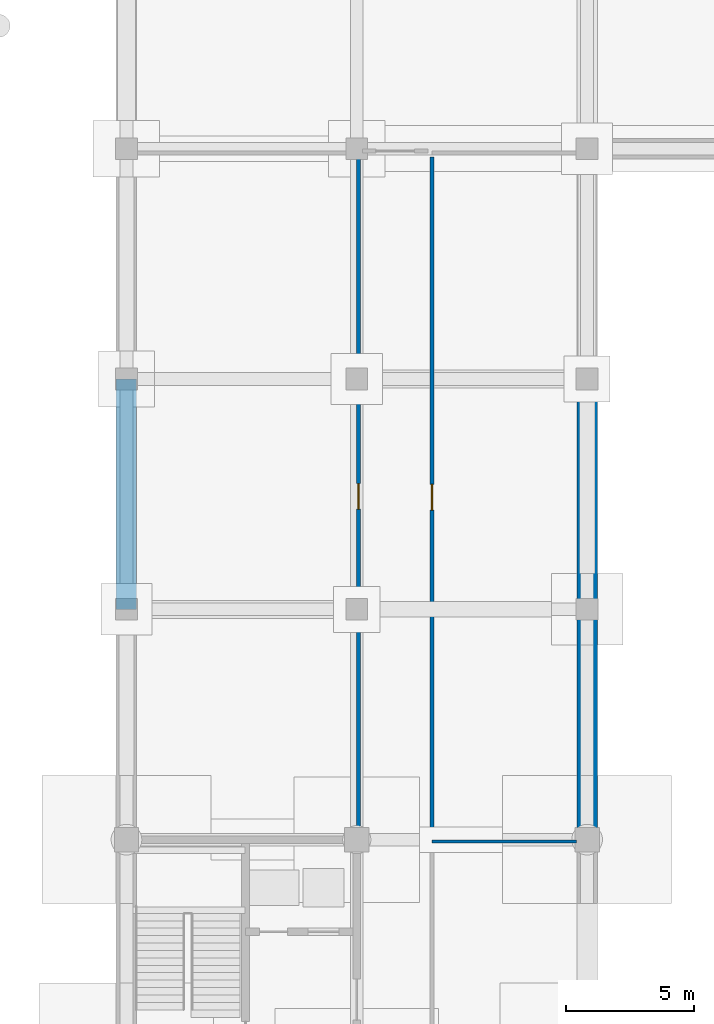
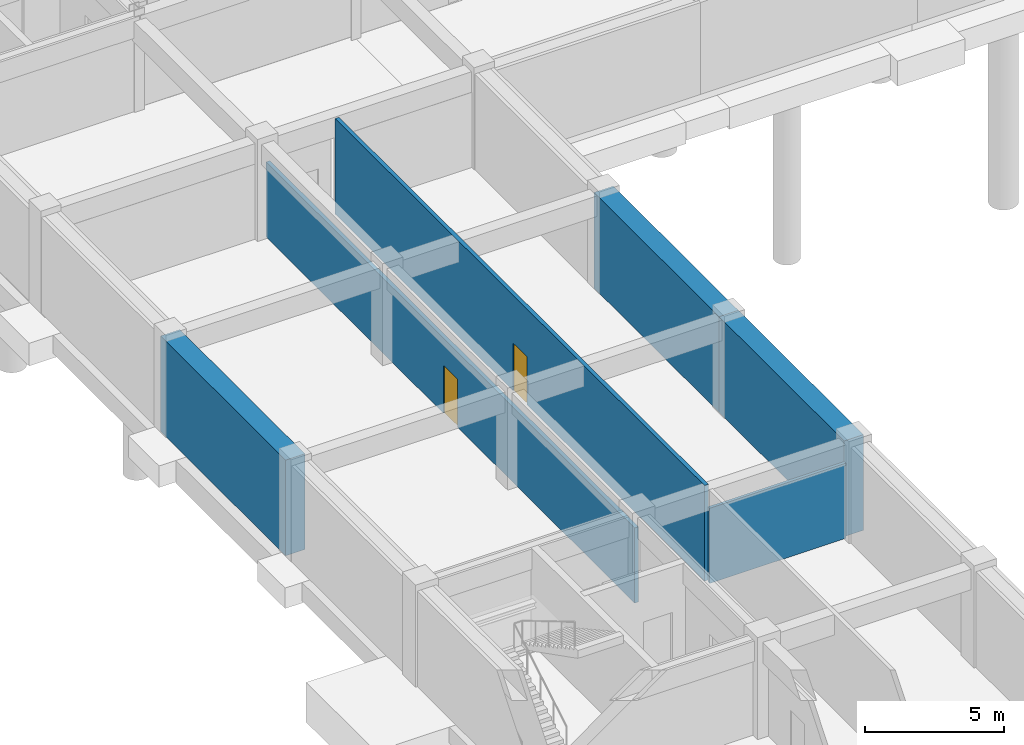
# One storey, part 25 of 41: 6 walls, 2 doors, 2 openings.
"""IFC4 building model written with IfcOpenShell, lengths in metres."""

import ifcopenshell
import ifcopenshell.guid

model = None  # the IFC model being written
_history = None  # IfcOwnerHistory: only IFC2X3 demands one
_inside = {}  # id of a spatial element -> (the spatial element, [elements in it])
_under = {}  # id of a project, library or spatial element -> (it, [spatial elements below it])
_declared = {}  # id of a project -> (the project, [libraries it declares])
_typed = {}  # id of a type object -> (the type object, [elements of that type])
_made_of = {}  # id of a material, layer set ... -> (it, [elements and type objects made of it])


def new_model(schema):
    """Start an empty IFC model of exactly this schema.

    Asked for "IFC4X3", IfcOpenShell would pick the latest addendum, in which some entities
    have other attributes; the version numbers below select the first issue.
    IFC2X3 requires an IfcOwnerHistory on every rooted entity: one is made here for all.
    """
    global model, _history
    if schema == "IFC4X3":
        model = ifcopenshell.file(schema_version=(4, 3, 0, 0))
    else:
        model = ifcopenshell.file(schema=schema)
    _inside.clear()
    _under.clear()
    _declared.clear()
    _typed.clear()
    _made_of.clear()
    _history = None
    if model.schema == "IFC2X3":
        org = make("IfcOrganization", Name="unknown")
        user = make(
            "IfcPersonAndOrganization",
            ThePerson=make("IfcPerson", FamilyName="unknown"),
            TheOrganization=org,
        )
        app = make(
            "IfcApplication",
            ApplicationDeveloper=org,
            Version="unknown",
            ApplicationFullName="unknown",
            ApplicationIdentifier="unknown",
        )
        _history = make(
            "IfcOwnerHistory",
            OwningUser=user,
            OwningApplication=app,
            ChangeAction="ADDED",
            CreationDate=0,
        )
    return model


def make(cls, **values):
    """One entity of the class cls with the attributes given. An attribute that is None is left unset."""
    return model.create_entity(
        cls, **{name: value for name, value in values.items() if value is not None}
    )


def rooted(cls, **values):
    """An entity with a GlobalId (a new one), such as an element, a storey or a relation."""
    return make(cls, GlobalId=ifcopenshell.guid.new(), OwnerHistory=_history, **values)


def si_unit(unit_type, name, prefix=None):
    """IfcSIUnit, for example si_unit("LENGTHUNIT", "METRE", prefix="MILLI")."""
    return make("IfcSIUnit", UnitType=unit_type, Prefix=prefix, Name=name)


def assignment(units):
    """IfcUnitAssignment: the units of a project."""
    return None if units is None else make("IfcUnitAssignment", Units=units)


def point(xyz):
    """IfcCartesianPoint."""
    return None if xyz is None else make("IfcCartesianPoint", Coordinates=xyz)


def direction(xyz):
    """IfcDirection."""
    return None if xyz is None else make("IfcDirection", DirectionRatios=xyz)


def frame(location, z_axis=None, x_axis=None):
    """IfcAxis2Placement3D, a coordinate frame: its origin and axes. An axis left out is left unset."""
    return make(
        "IfcAxis2Placement3D",
        Location=point(location),
        Axis=direction(z_axis),
        RefDirection=direction(x_axis),
    )


def frame_2d(location, x_axis=None):
    """IfcAxis2Placement2D, a coordinate frame in the plane: its origin and x axis."""
    return make(
        "IfcAxis2Placement2D", Location=point(location), RefDirection=direction(x_axis)
    )


def origin():
    """The frame at (0, 0, 0) with its axes left unset."""
    return frame((0.0, 0.0, 0.0))


def place(relative_to, where):
    """IfcLocalPlacement: puts the frame where relative to a parent placement (None: the world)."""
    return make(
        "IfcLocalPlacement", PlacementRelTo=relative_to, RelativePlacement=where
    )


def context(
    kind, dimensions, precision=None, world=None, true_north=None, identifier=None
):
    """IfcGeometricRepresentationContext, for example the 3D "Model" context."""
    return make(
        "IfcGeometricRepresentationContext",
        ContextIdentifier=identifier,
        ContextType=kind,
        CoordinateSpaceDimension=dimensions,
        Precision=precision,
        WorldCoordinateSystem=world,
        TrueNorth=true_north,
    )


def subcontext(parent, identifier, kind, view, scale=None):
    """IfcGeometricRepresentationSubContext, for example "Body" below "Model"."""
    return make(
        "IfcGeometricRepresentationSubContext",
        ContextIdentifier=identifier,
        ContextType=kind,
        ParentContext=parent,
        TargetScale=scale,
        TargetView=view,
    )


def project(units=None, contexts=None):
    """IfcProject with its units and contexts."""
    return rooted(
        "IfcProject",
        Name="project",
        RepresentationContexts=contexts,
        UnitsInContext=assignment(units),
    )


def spatial(cls, under=None, at=None, **own):
    """A site, building, storey or space (cls), placed at a placement, below another one or the project."""
    s = rooted(cls, ObjectPlacement=at, **own)
    if under is not None:
        _under.setdefault(under.id(), (under, []))[1].append(s)
    return s


def profile(cls, at=None, kind="AREA", **sizes):
    """A parametric profile (cls). Its sizes go by their IFC names, for example OverallWidth=200.0."""
    return make(cls, ProfileType=kind, Position=at, **sizes)


def rectangle(**sizes):
    """IfcRectangleProfileDef."""
    return profile("IfcRectangleProfileDef", **sizes)


def extrude(swept, where, along, depth):
    """IfcExtrudedAreaSolid: the profile swept, set in the frame where, extruded along a direction by depth."""
    return make(
        "IfcExtrudedAreaSolid",
        SweptArea=swept,
        Position=where,
        ExtrudedDirection=direction(along),
        Depth=depth,
    )


def shape(context_of_items, identifier, shape_type, items):
    """IfcShapeRepresentation: the items that make up one representation, for example the "Body"."""
    return make(
        "IfcShapeRepresentation",
        ContextOfItems=context_of_items,
        RepresentationIdentifier=identifier,
        RepresentationType=shape_type,
        Items=items,
    )


def material(Name=None, Category=None):
    """IfcMaterial."""
    return make("IfcMaterial", Name=Name, Category=Category)


def layer(
    of_material, thickness, ventilated=None, Name=None, Category=None, Priority=None
):
    """IfcMaterialLayer: one layer of a wall or slab, of a material (None: an air gap)."""
    return make(
        "IfcMaterialLayer",
        Material=of_material,
        LayerThickness=thickness,
        IsVentilated=ventilated,
        Name=Name,
        Category=Category,
        Priority=Priority,
    )


def layer_set(layers, Name=None):
    """IfcMaterialLayerSet."""
    return make("IfcMaterialLayerSet", MaterialLayers=layers, LayerSetName=Name)


def made_of(thing, what):
    """Note that an element or type object is made of a material, layer set ...; save() writes the relation."""
    if what is not None:
        _made_of.setdefault(what.id(), (what, []))[1].append(thing)
    return thing


def type_object(cls, material=None, **own):
    """A type object (cls), such as IfcWallType, which elements share."""
    return made_of(rooted(cls, **own), material)


def element(
    cls,
    number,
    at=None,
    inside=None,
    cuts=None,
    type_object=None,
    material=None,
    context=None,
    identifier="Body",
    shape_type=None,
    held_by="IfcProductDefinitionShape",
    body=None,
    shapes=None,
    **own,
):
    """One element of the class cls, such as IfcWall. Its Tag is "e" and its number.

    at: its placement. inside: the storey or other place that contains it. cuts: it is an
    opening in that element (IfcRelVoidsElement). A single representation is given by context,
    identifier, shape_type and body (its items); several are given by shapes. held_by: the class
    of the entity that holds the representations. save() writes the other relations.
    """
    e = rooted(cls, Tag="e%d" % number, ObjectPlacement=at, **own)
    if body is not None:
        shapes = [shape(context, identifier, shape_type, body)]
    if shapes is not None:
        e.Representation = make(held_by, Representations=shapes)
    if inside is not None:
        _inside.setdefault(inside.id(), (inside, []))[1].append(e)
    if cuts is not None:
        rooted(
            "IfcRelVoidsElement", RelatingBuildingElement=cuts, RelatedOpeningElement=e
        )
    if type_object is not None:
        _typed.setdefault(type_object.id(), (type_object, []))[1].append(e)
    return made_of(e, material)


def fill(opening, filler):
    """IfcRelFillsElement: the door or window that sits in an opening."""
    return rooted(
        "IfcRelFillsElement",
        RelatingOpeningElement=opening,
        RelatedBuildingElement=filler,
    )


def aggregate(whole, parts):
    """IfcRelAggregates: a whole, such as a stair, and the parts it consists of."""
    return rooted("IfcRelAggregates", RelatingObject=whole, RelatedObjects=parts)


def save(model, path):
    """Write the relations noted so far, then the file.

    IfcRelAggregates (storeys below a building ...), IfcRelContainedInSpatialStructure (elements
    in a storey), IfcRelDefinesByType, IfcRelAssociatesMaterial and IfcRelDeclares: one each for
    every whole, place, type object, material and project.
    """
    for whole, parts in _under.values():
        aggregate(whole, parts)
    for where, things in _inside.values():
        rooted(
            "IfcRelContainedInSpatialStructure",
            RelatedElements=things,
            RelatingStructure=where,
        )
    for kind, things in _typed.values():
        rooted("IfcRelDefinesByType", RelatedObjects=things, RelatingType=kind)
    for what, things in _made_of.values():
        rooted("IfcRelAssociatesMaterial", RelatedObjects=things, RelatingMaterial=what)
    for by, libraries in _declared.values():
        rooted("IfcRelDeclares", RelatingContext=by, RelatedDefinitions=libraries)
    model.write(path)


model = new_model("IFC4")

# Units and contexts
model_context = context("Model", 3, precision=1e-05, world=origin(), true_north=direction((0.0, 1.0)))
body_context = subcontext(model_context, "Body", "Model", "MODEL_VIEW")
ifc_project = project(units=[si_unit("LENGTHUNIT", "METRE"), si_unit("AREAUNIT", "SQUARE_METRE"), si_unit("VOLUMEUNIT", "CUBIC_METRE"), si_unit("PLANEANGLEUNIT", "RADIAN"), si_unit("MASSUNIT", "GRAM", prefix="KILO")], contexts=[model_context])

# Site, building, storey
site_placement = place(None, origin())
site = spatial("IfcSite", under=ifc_project, at=site_placement, CompositionType="ELEMENT")
building_placement = place(site_placement, origin())
building = spatial("IfcBuilding", under=site, at=building_placement, Name="Palais des Congres Ocreval", CompositionType="ELEMENT")
storey_placement = place(building_placement, frame((0.0, 0.0, -8.9599609375)))
storey = spatial("IfcBuildingStorey", under=building, at=storey_placement, Name="B2", CompositionType="ELEMENT", Elevation=-8.9599609375)

# Wall, opening, door
ifc_material_1 = material(Name="Gypsum acoustic partition")
ifc_layer_1 = layer(ifc_material_1, 0.159912109375)
ifc_layer_set_1 = layer_set([ifc_layer_1], Name="Corridor Fire Partition 160 Gypsum (Gypsum acoustic partition)")
wall_type_1 = type_object("IfcWallType", Name="Corridor Fire Partition 160 Gypsum", PredefinedType="PARTITIONING", material=ifc_layer_set_1)
wall_1_placement = place(storey_placement, frame((9.06494140625, 45.155029296875, 0.0), z_axis=(0.0, 0.0, 1.0), x_axis=(0.0, 1.0, 0.0)))
wall_1 = element("IfcWall", 1, at=wall_1_placement, inside=storey, type_object=wall_type_1, Name="Interior Partition IW03 B2", PredefinedType="PARTITIONING", context=body_context, shape_type="SweptSolid", body=[
    extrude(rectangle(XDim=26.514892578125, YDim=0.159912109375, at=frame_2d((13.25732421875, 0.0))), origin(), (0.0, 0.0, 1.0), 3.300048828125),
])
opening_1_placement = place(wall_1_placement, frame((12.757568359375, 0.0, 0.0)))
opening_1 = element("IfcOpeningElement", 2, at=opening_1_placement, cuts=wall_1, Name="Opening D10", PredefinedType="OPENING", context=body_context, shape_type="SweptSolid", body=[
    extrude(rectangle(XDim=1.0, YDim=2.10009765625, at=frame_2d((0.5, 1.050048828125))), frame((0.0, 0.08984375, 0.0), z_axis=(0.0, -1.0, 0.0), x_axis=(1.0, 0.0, 0.0)), (0.0, 0.0, 1.0), 0.179931640625),
])
ifc_material_2 = material(Name="Painted steel", Category="steel")
door_type = type_object("IfcDoorType", Name="Service and Pantry Door 1000x2100", OperationType="NOTDEFINED", PredefinedType="DOOR", material=ifc_material_2)
door_1_placement = place(opening_1_placement, origin())
door_1 = element("IfcDoor", 3, at=door_1_placement, inside=storey, type_object=door_type, Name="Interior Door D10 B2", OperationType="SINGLE_SWING_LEFT", OverallHeight=2.10009765625, OverallWidth=1.0, PredefinedType="DOOR", context=body_context, shape_type="SweptSolid", body=[
    extrude(rectangle(XDim=1.0, YDim=2.10009765625, at=frame_2d((0.5, 1.050048828125))), frame((0.0, 0.02490234375, 0.0), z_axis=(0.0, -1.0, 0.0), x_axis=(1.0, 0.0, 0.0)), (0.0, 0.0, 1.0), 0.050048828125),
])
fill(opening_1, door_1)

wall_2_placement = place(storey_placement, frame((11.93505859375, 45.090087890625, 0.0), z_axis=(0.0, 0.0, 1.0), x_axis=(0.0, 1.0, 0.0)))
wall_2 = element("IfcWall", 4, at=wall_2_placement, inside=storey, type_object=wall_type_1, Name="Interior Partition IW03 B2", PredefinedType="PARTITIONING", context=body_context, shape_type="SweptSolid", body=[
    extrude(rectangle(XDim=26.579833984375, YDim=0.159912109375, at=frame_2d((13.2900390625, 0.0))), origin(), (0.0, 0.0, 1.0), 4.199951171875),
])
opening_2_placement = place(wall_2_placement, frame((12.7900390625, 0.0, 0.0)))
opening_2 = element("IfcOpeningElement", 5, at=opening_2_placement, cuts=wall_2, Name="Opening D10", PredefinedType="OPENING", context=body_context, shape_type="SweptSolid", body=[
    extrude(rectangle(XDim=1.0, YDim=2.10009765625, at=frame_2d((0.5, 1.050048828125))), frame((0.0, 0.08984375, 0.0), z_axis=(0.0, -1.0, 0.0), x_axis=(1.0, 0.0, 0.0)), (0.0, 0.0, 1.0), 0.179931640625),
])
door_2_placement = place(opening_2_placement, origin())
door_2 = element("IfcDoor", 6, at=door_2_placement, inside=storey, type_object=door_type, Name="Interior Door D10 B2", OperationType="SINGLE_SWING_RIGHT", OverallHeight=2.10009765625, OverallWidth=1.0, PredefinedType="DOOR", context=body_context, shape_type="SweptSolid", body=[
    extrude(rectangle(XDim=1.0, YDim=2.10009765625, at=frame_2d((0.5, 1.050048828125))), frame((0.0, 0.02490234375, 0.0), z_axis=(0.0, -1.0, 0.0), x_axis=(1.0, 0.0, 0.0)), (0.0, 0.0, 1.0), 0.050048828125),
])
fill(opening_2, door_2)

# Walls
ifc_material_3 = material(Name="Concrete C35/45", Category="concrete")
ifc_layer_2 = layer(ifc_material_3, 0.800048828125)
ifc_layer_set_2 = layer_set([ifc_layer_2], Name="Retaining Diaphragm Wall 800 Concrete C35/45")
wall_type_2 = type_object("IfcWallType", Name="Retaining Diaphragm Wall 800 Concrete C35/45", PredefinedType="USERDEFINED", material=ifc_layer_set_2)
for number, where, z_axis, x_axis, name in (
    (7, (0.0, 54.0, 0.0), (0.0, 0.0, 1.0), (0.0, 1.0, 0.0), "Basement Diaphragm Wall RW01 B2"),
    (8, (18.0, 63.0, 0.0), (0.0, 0.0, 1.0), (0.0, -1.0, 0.0), "Basement Diaphragm Wall RW01 B2"),
    (9, (18.0, 54.0, 0.0), (0.0, 0.0, 1.0), (0.0, -1.0, 0.0), "Basement Diaphragm Wall RW01 B2"),
):
    element("IfcWall", number, at=place(storey_placement, frame(where, z_axis=z_axis, x_axis=x_axis)), inside=storey, type_object=wall_type_2, Name=name, ObjectType="RETAININGWALL", PredefinedType="USERDEFINED", context=body_context, shape_type="SweptSolid", body=[
        extrude(rectangle(XDim=9.0, YDim=0.800048828125, at=frame_2d((4.5, 0.0))), origin(), (0.0, 0.0, 1.0), 4.199951171875),
    ])
ifc_material_4 = material(Name="Gypsum board partition")
ifc_layer_3 = layer(ifc_material_4, 0.1201171875)
ifc_layer_set_3 = layer_set([ifc_layer_3], Name="Suite Subdivision Partition 120 Gypsum (Gypsum board partition)")
wall_type_3 = type_object("IfcWallType", Name="Suite Subdivision Partition 120 Gypsum", PredefinedType="PARTITIONING", material=ifc_layer_set_3)
wall_3_placement = place(storey_placement, frame((11.93994140625, 44.93505859375, 0.0), z_axis=(0.0, 0.0, 1.0), x_axis=(1.0, 0.0, 0.0)))
element("IfcWall", 10, at=wall_3_placement, inside=storey, type_object=wall_type_3, Name="Interior Partition IW04 B2", PredefinedType="PARTITIONING", context=body_context, shape_type="SweptSolid", body=[
    extrude(rectangle(XDim=5.655029296875, YDim=0.1201171875, at=frame_2d((2.82763671875, 0.0))), origin(), (0.0, 0.0, 1.0), 3.300048828125),
])

save(model, "model.ifc")
